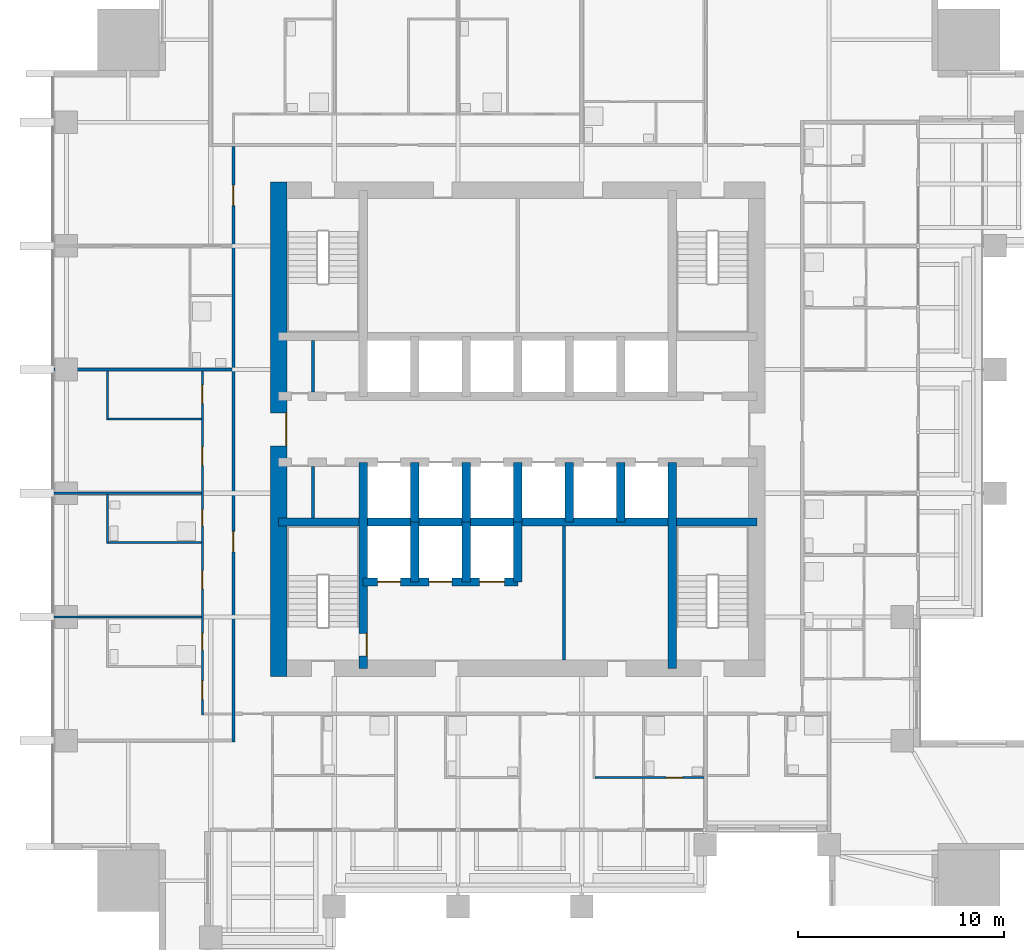
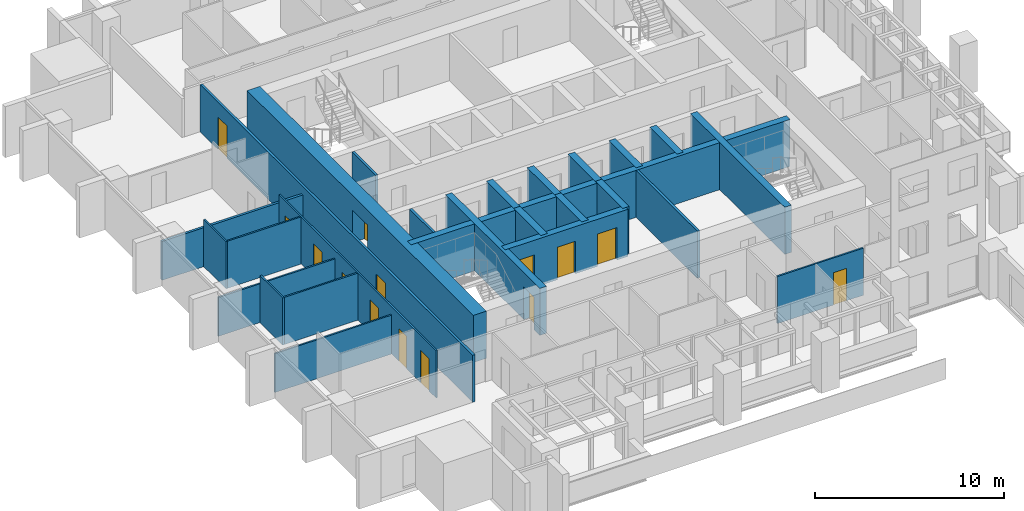
# One storey, part 8 of 16: 26 walls, 14 doors, 14 openings.
"""IFC4 building model written with IfcOpenShell, lengths in metres."""

from ifc_helpers import new_model, si_unit, direction, frame, frame_2d, origin, place, context, subcontext, project, spatial, rectangle, extrude, material, layer, layer_set, type_object, element, fill, save


model = new_model("IFC4")

# Units and contexts
model_context = context("Model", 3, precision=1e-05, world=origin(), true_north=direction((0.0, 1.0)))
body_context = subcontext(model_context, "Body", "Model", "MODEL_VIEW")
ifc_project = project(units=[si_unit("LENGTHUNIT", "METRE"), si_unit("AREAUNIT", "SQUARE_METRE"), si_unit("VOLUMEUNIT", "CUBIC_METRE"), si_unit("PLANEANGLEUNIT", "RADIAN"), si_unit("MASSUNIT", "GRAM", prefix="KILO")], contexts=[model_context])

# Site, building, storey
site_placement = place(None, origin())
site = spatial("IfcSite", under=ifc_project, at=site_placement, CompositionType="ELEMENT")
building_placement = place(site_placement, origin())
building = spatial("IfcBuilding", under=site, at=building_placement, Name="Amberfall Residences", CompositionType="ELEMENT")
storey_placement = place(building_placement, frame((0.0, 0.0, 108.39990234375)))
storey = spatial("IfcBuildingStorey", under=building, at=storey_placement, Name="L29", CompositionType="ELEMENT", Elevation=108.39990234375)

# Wall
ifc_material_1 = material(Name="Concrete C70", Category="concrete")
ifc_layer_1 = layer(ifc_material_1, 0.39990234375)
ifc_layer_set_1 = layer_set([ifc_layer_1], Name="Core wall 400 C70")
wall_type_1 = type_object("IfcWallType", Name="Core wall 400 C70", PredefinedType="SHEAR", material=ifc_layer_set_1)
wall_1_placement = place(storey_placement, frame((62.89990234375, 41.0, 0.0), z_axis=(0.0, 0.0, 1.0), x_axis=(1.0, 0.0, 0.0)))
element("IfcWall", 1, at=wall_1_placement, inside=storey, type_object=wall_type_1, Name="Core wall RW4 L29 H75", PredefinedType="SHEAR", context=body_context, shape_type="SweptSolid", body=[
    extrude(rectangle(XDim=23.2001953125, YDim=0.39990234375, at=frame_2d((11.60009765625, 0.0))), origin(), (0.0, 0.0, 1.0), 3.050048828125),
])

# Wall, opening, door
wall_2_placement = place(storey_placement, frame((67.0, 33.89990234375, 0.0), z_axis=(0.0, 0.0, 1.0), x_axis=(0.0, 1.0, 0.0)))
wall_2 = element("IfcWall", 2, at=wall_2_placement, inside=storey, type_object=wall_type_1, Name="Core wall RW4 L29 V45S", PredefinedType="SHEAR", context=body_context, shape_type="SweptSolid", body=[
    extrude(rectangle(XDim=10.0, YDim=0.39990234375, at=frame_2d((5.0, 0.0))), origin(), (0.0, 0.0, 1.0), 3.050048828125),
])
opening_1_placement = place(wall_2_placement, frame((0.60009765625, 0.0, 0.0)))
opening_1 = element("IfcOpeningElement", 3, at=opening_1_placement, cuts=wall_2, Name="Opening FL1", PredefinedType="OPENING", context=body_context, shape_type="SweptSolid", body=[
    extrude(rectangle(XDim=1.10009765625, YDim=2.10009765625, at=frame_2d((0.550048828125, 1.050048828125))), frame((0.0, 0.2099609375, 0.0), z_axis=(0.0, -1.0, 0.0), x_axis=(1.0, 0.0, 0.0)), (0.0, 0.0, 1.0), 0.419921875),
])
ifc_material_2 = material(Name="Steel fire door set", Category="steel")
door_type_1 = type_object("IfcDoorType", Name="Firefighting lobby door 1100 x 2100", OperationType="SINGLE_SWING_LEFT", PredefinedType="DOOR", material=ifc_material_2)
door_1_placement = place(opening_1_placement, origin())
door_1 = element("IfcDoor", 4, at=door_1_placement, inside=storey, type_object=door_type_1, Name="FL1 L29", OperationType="SINGLE_SWING_RIGHT", OverallHeight=2.10009765625, OverallWidth=1.10009765625, PredefinedType="DOOR", context=body_context, shape_type="SweptSolid", body=[
    extrude(rectangle(XDim=1.10009765625, YDim=2.10009765625, at=frame_2d((0.550048828125, 1.050048828125))), frame((0.0, -0.1376953125, 0.0), z_axis=(0.0, -1.0, 0.0), x_axis=(1.0, 0.0, 0.0)), (0.0, 0.0, 1.0), 0.050048828125),
])
fill(opening_1, door_1)

# Walls
wall_3_placement = place(storey_placement, frame((82.0, 33.89990234375, 0.0), z_axis=(0.0, 0.0, 1.0), x_axis=(0.0, 1.0, 0.0)))
element("IfcWall", 5, at=wall_3_placement, inside=storey, type_object=wall_type_1, Name="Core wall RW4 L29 V195S", PredefinedType="SHEAR", context=body_context, shape_type="SweptSolid", body=[
    extrude(rectangle(XDim=10.0, YDim=0.39990234375, at=frame_2d((5.0, 0.0))), origin(), (0.0, 0.0, 1.0), 3.050048828125),
])
for number, where, z_axis, x_axis, name in (
    (6, (69.5, 41.0, 0.0), (0.0, 0.0, 1.0), (0.0, 1.0, 0.0), "Core wall RW4 L29 LPD1"),
    (7, (72.0, 41.0, 0.0), (0.0, 0.0, 1.0), (0.0, 1.0, 0.0), "Core wall RW4 L29 LPD2"),
    (8, (74.5, 41.0, 0.0), (0.0, 0.0, 1.0), (0.0, 1.0, 0.0), "Core wall RW4 L29 LPD3"),
    (9, (77.0, 41.0, 0.0), (0.0, 0.0, 1.0), (0.0, 1.0, 0.0), "Core wall RW4 L29 LPD4"),
    (10, (79.5, 41.0, 0.0), (0.0, 0.0, 1.0), (0.0, 1.0, 0.0), "Core wall RW4 L29 LPD5"),
):
    element("IfcWall", number, at=place(storey_placement, frame(where, z_axis=z_axis, x_axis=x_axis)), inside=storey, type_object=wall_type_1, Name=name, PredefinedType="SHEAR", context=body_context, shape_type="SweptSolid", body=[
        extrude(rectangle(XDim=2.89990234375, YDim=0.39990234375, at=frame_2d((1.449951171875, 0.0))), origin(), (0.0, 0.0, 1.0), 3.050048828125),
    ])

# Wall, openings, doors
wall_4_placement = place(storey_placement, frame((67.0, 38.10009765625, 0.0), z_axis=(0.0, 0.0, 1.0), x_axis=(1.0, 0.0, 0.0)))
wall_4 = element("IfcWall", 11, at=wall_4_placement, inside=storey, type_object=wall_type_1, Name="Core wall RW4 L29 FFF", PredefinedType="SHEAR", context=body_context, shape_type="SweptSolid", body=[
    extrude(rectangle(XDim=7.5, YDim=0.39990234375, at=frame_2d((3.75, 0.0))), origin(), (0.0, 0.0, 1.0), 3.050048828125),
])
opening_2_placement = place(wall_4_placement, frame((0.699951171875, 0.0, 0.0)))
opening_2 = element("IfcOpeningElement", 12, at=opening_2_placement, cuts=wall_4, Name="Opening LD2", PredefinedType="OPENING", context=body_context, shape_type="SweptSolid", body=[
    extrude(rectangle(XDim=1.10009765625, YDim=2.10009765625, at=frame_2d((0.550048828125, 1.050048828125))), frame((0.0, 0.2099609375, 0.0), z_axis=(0.0, -1.0, 0.0), x_axis=(1.0, 0.0, 0.0)), (0.0, 0.0, 1.0), 0.419921875),
])
opening_3_placement = place(wall_4_placement, frame((3.199951171875, 0.0, 0.0)))
opening_3 = element("IfcOpeningElement", 13, at=opening_3_placement, cuts=wall_4, Name="Opening LD2", PredefinedType="OPENING", context=body_context, shape_type="SweptSolid", body=[
    extrude(rectangle(XDim=1.10009765625, YDim=2.10009765625, at=frame_2d((0.550048828125, 1.050048828125))), frame((0.0, 0.2099609375, 0.0), z_axis=(0.0, -1.0, 0.0), x_axis=(1.0, 0.0, 0.0)), (0.0, 0.0, 1.0), 0.419921875),
])
opening_4_placement = place(wall_4_placement, frame((5.64990234375, 0.0, 0.0)))
opening_4 = element("IfcOpeningElement", 14, at=opening_4_placement, cuts=wall_4, Name="Opening LD3", PredefinedType="OPENING", context=body_context, shape_type="SweptSolid", body=[
    extrude(rectangle(XDim=1.199951171875, YDim=2.10009765625, at=frame_2d((0.60009765625, 1.050048828125))), frame((0.0, 0.2099609375, 0.0), z_axis=(0.0, -1.0, 0.0), x_axis=(1.0, 0.0, 0.0)), (0.0, 0.0, 1.0), 0.419921875),
])
door_type_2 = type_object("IfcDoorType", Name="Firefighting lift landing door 1100 x 2100", OperationType="DOUBLE_DOOR_SLIDING", PredefinedType="DOOR", material=ifc_material_2)
door_2_placement = place(opening_2_placement, origin())
door_2 = element("IfcDoor", 15, at=door_2_placement, inside=storey, type_object=door_type_2, Name="Landing door FF1 L29", OperationType="DOUBLE_DOOR_SLIDING", OverallHeight=2.10009765625, OverallWidth=1.10009765625, PredefinedType="DOOR", context=body_context, shape_type="SweptSolid", body=[
    extrude(rectangle(XDim=1.10009765625, YDim=2.10009765625, at=frame_2d((0.550048828125, 1.050048828125))), frame((0.0, 0.02490234375, 0.0), z_axis=(0.0, -1.0, 0.0), x_axis=(1.0, 0.0, 0.0)), (0.0, 0.0, 1.0), 0.050048828125),
])
fill(opening_2, door_2)
door_3_placement = place(opening_3_placement, origin())
door_3 = element("IfcDoor", 16, at=door_3_placement, inside=storey, type_object=door_type_2, Name="Landing door FF2 L29", OperationType="DOUBLE_DOOR_SLIDING", OverallHeight=2.10009765625, OverallWidth=1.10009765625, PredefinedType="DOOR", context=body_context, shape_type="SweptSolid", body=[
    extrude(rectangle(XDim=1.10009765625, YDim=2.10009765625, at=frame_2d((0.550048828125, 1.050048828125))), frame((0.0, 0.02490234375, 0.0), z_axis=(0.0, -1.0, 0.0), x_axis=(1.0, 0.0, 0.0)), (0.0, 0.0, 1.0), 0.050048828125),
])
fill(opening_3, door_3)
door_type_3 = type_object("IfcDoorType", Name="Service lift landing door 1200 x 2100", OperationType="DOUBLE_DOOR_SLIDING", PredefinedType="DOOR", material=ifc_material_2)
door_4_placement = place(opening_4_placement, origin())
door_4 = element("IfcDoor", 17, at=door_4_placement, inside=storey, type_object=door_type_3, Name="Landing door SL1 L29", OperationType="DOUBLE_DOOR_SLIDING", OverallHeight=2.10009765625, OverallWidth=1.199951171875, PredefinedType="DOOR", context=body_context, shape_type="SweptSolid", body=[
    extrude(rectangle(XDim=1.199951171875, YDim=2.10009765625, at=frame_2d((0.60009765625, 1.050048828125))), frame((0.0, 0.02490234375, 0.0), z_axis=(0.0, -1.0, 0.0), x_axis=(1.0, 0.0, 0.0)), (0.0, 0.0, 1.0), 0.050048828125),
])
fill(opening_4, door_4)

# Walls
for number, where, z_axis, x_axis, name in (
    (18, (69.5, 38.10009765625, 0.0), (0.0, 0.0, 1.0), (0.0, 1.0, 0.0), "Core wall RW4 L29 FFD1"),
    (19, (72.0, 38.10009765625, 0.0), (0.0, 0.0, 1.0), (0.0, 1.0, 0.0), "Core wall RW4 L29 FFD2"),
    (20, (74.5, 38.10009765625, 0.0), (0.0, 0.0, 1.0), (0.0, 1.0, 0.0), "Core wall RW4 L29 FFD3"),
):
    element("IfcWall", number, at=place(storey_placement, frame(where, z_axis=z_axis, x_axis=x_axis)), inside=storey, type_object=wall_type_1, Name=name, PredefinedType="SHEAR", context=body_context, shape_type="SweptSolid", body=[
        extrude(rectangle(XDim=2.89990234375, YDim=0.39990234375, at=frame_2d((1.449951171875, 0.0))), origin(), (0.0, 0.0, 1.0), 3.050048828125),
    ])

# Wall, opening, door
ifc_layer_2 = layer(ifc_material_1, 0.800048828125)
ifc_layer_set_2 = layer_set([ifc_layer_2], Name="Core wall 800 C70")
wall_type_2 = type_object("IfcWallType", Name="Core wall 800 C70", PredefinedType="SHEAR", material=ifc_layer_set_2)
wall_5_placement = place(storey_placement, frame((62.89990234375, 33.5, 0.0), z_axis=(0.0, 0.0, 1.0), x_axis=(0.0, 1.0, 0.0)))
wall_5 = element("IfcWall", 21, at=wall_5_placement, inside=storey, type_object=wall_type_2, Name="Core wall RW3 L29 OW", PredefinedType="SHEAR", context=body_context, shape_type="SweptSolid", body=[
    extrude(rectangle(XDim=24.0, YDim=0.800048828125, at=frame_2d((12.0, 0.0))), origin(), (0.0, 0.0, 1.0), 3.050048828125),
])
opening_5_placement = place(wall_5_placement, frame((11.199951171875, 0.0, 0.0)))
opening_5 = element("IfcOpeningElement", 22, at=opening_5_placement, cuts=wall_5, Name="Opening LB1", PredefinedType="OPENING", context=body_context, shape_type="SweptSolid", body=[
    extrude(rectangle(XDim=1.60009765625, YDim=2.10009765625, at=frame_2d((0.800048828125, 1.050048828125))), frame((0.0, 0.409912109375, 0.0), z_axis=(0.0, -1.0, 0.0), x_axis=(1.0, 0.0, 0.0)), (0.0, 0.0, 1.0), 0.820068359375),
])
door_type_4 = type_object("IfcDoorType", Name="Lift lobby double door 1600 x 2100", OperationType="DOUBLE_DOOR_SINGLE_SWING", PredefinedType="DOOR", material=ifc_material_2)
door_5_placement = place(opening_5_placement, origin())
door_5 = element("IfcDoor", 23, at=door_5_placement, inside=storey, type_object=door_type_4, Name="LB1 L29", OperationType="DOUBLE_DOOR_SINGLE_SWING", OverallHeight=2.10009765625, OverallWidth=1.60009765625, PredefinedType="DOOR", context=body_context, shape_type="SweptSolid", body=[
    extrude(rectangle(XDim=1.60009765625, YDim=2.10009765625, at=frame_2d((0.800048828125, 1.050048828125))), frame((0.0, -0.33740234375, 0.0), z_axis=(0.0, -1.0, 0.0), x_axis=(1.0, 0.0, 0.0)), (0.0, 0.0, 1.0), 0.050048828125),
])
fill(opening_5, door_5)

# Walls
ifc_material_3 = material(Name="Gypsum board on metal stud")
ifc_layer_3 = layer(ifc_material_3, 0.10009765625)
ifc_layer_set_3 = layer_set([ifc_layer_3], Name="Flat partition 100")
wall_type_3 = type_object("IfcWallType", Name="Flat partition 100", PredefinedType="PARTITIONING", material=ifc_layer_set_3)
wall_6_placement = place(storey_placement, frame((54.60009765625, 39.949951171875, 0.0), z_axis=(0.0, 0.0, 1.0), x_axis=(0.0, 1.0, 0.0)))
element("IfcWall", 24, at=wall_6_placement, inside=storey, type_object=wall_type_3, Name="Partition 002", PredefinedType="PARTITIONING", context=body_context, shape_type="SweptSolid", body=[
    extrude(rectangle(XDim=2.400146484375, YDim=0.10009765625, at=frame_2d((1.2001953125, 0.0))), origin(), (0.0, 0.0, 1.0), 3.050048828125),
])
wall_7_placement = place(storey_placement, frame((54.60009765625, 45.949951171875, 0.0), z_axis=(0.0, 0.0, 1.0), x_axis=(0.0, 1.0, 0.0)))
element("IfcWall", 25, at=wall_7_placement, inside=storey, type_object=wall_type_3, Name="Partition 003", PredefinedType="PARTITIONING", context=body_context, shape_type="SweptSolid", body=[
    extrude(rectangle(XDim=2.375, YDim=0.10009765625, at=frame_2d((1.1875, 0.0))), origin(), (0.0, 0.0, 1.0), 3.050048828125),
])

# Wall, openings, doors
wall_8_placement = place(storey_placement, frame((59.199951171875, 31.64990234375, 0.0), z_axis=(0.0, 0.0, 1.0), x_axis=(0.0, 1.0, 0.0)))
wall_8 = element("IfcWall", 26, at=wall_8_placement, inside=storey, type_object=wall_type_3, Name="Partition 005", PredefinedType="PARTITIONING", context=body_context, shape_type="SweptSolid", body=[
    extrude(rectangle(XDim=16.675048828125, YDim=0.10009765625, at=frame_2d((8.33740234375, 0.0))), origin(), (0.0, 0.0, 1.0), 3.050048828125),
])
opening_6_placement = place(wall_8_placement, frame((12.10009765625, 0.0, 0.0)))
opening_6 = element("IfcOpeningElement", 27, at=opening_6_placement, cuts=wall_8, Name="Opening D41", PredefinedType="OPENING", context=body_context, shape_type="SweptSolid", body=[
    extrude(rectangle(XDim=0.89990234375, YDim=2.10009765625, at=frame_2d((0.449951171875, 1.050048828125))), frame((0.0, 0.06005859375, 0.0), z_axis=(0.0, -1.0, 0.0), x_axis=(1.0, 0.0, 0.0)), (0.0, 0.0, 1.0), 0.1201171875),
])
opening_7_placement = place(wall_8_placement, frame((15.10009765625, 0.0, 0.0)))
opening_7 = element("IfcOpeningElement", 28, at=opening_7_placement, cuts=wall_8, Name="Opening D41", PredefinedType="OPENING", context=body_context, shape_type="SweptSolid", body=[
    extrude(rectangle(XDim=0.89990234375, YDim=2.10009765625, at=frame_2d((0.449951171875, 1.050048828125))), frame((0.0, 0.06005859375, 0.0), z_axis=(0.0, -1.0, 0.0), x_axis=(1.0, 0.0, 0.0)), (0.0, 0.0, 1.0), 0.1201171875),
])
opening_8_placement = place(wall_8_placement, frame((0.75, 0.0, 0.0)))
opening_8 = element("IfcOpeningElement", 29, at=opening_8_placement, cuts=wall_8, Name="Opening D41", PredefinedType="OPENING", context=body_context, shape_type="SweptSolid", body=[
    extrude(rectangle(XDim=0.89990234375, YDim=2.10009765625, at=frame_2d((0.449951171875, 1.050048828125))), frame((0.0, 0.06005859375, 0.0), z_axis=(0.0, -1.0, 0.0), x_axis=(1.0, 0.0, 0.0)), (0.0, 0.0, 1.0), 0.1201171875),
])
opening_9_placement = place(wall_8_placement, frame((6.10009765625, 0.0, 0.0)))
opening_9 = element("IfcOpeningElement", 30, at=opening_9_placement, cuts=wall_8, Name="Opening D41", PredefinedType="OPENING", context=body_context, shape_type="SweptSolid", body=[
    extrude(rectangle(XDim=0.89990234375, YDim=2.10009765625, at=frame_2d((0.449951171875, 1.050048828125))), frame((0.0, 0.06005859375, 0.0), z_axis=(0.0, -1.0, 0.0), x_axis=(1.0, 0.0, 0.0)), (0.0, 0.0, 1.0), 0.1201171875),
])
opening_10_placement = place(wall_8_placement, frame((3.14990234375, 0.0, 0.0)))
opening_10 = element("IfcOpeningElement", 31, at=opening_10_placement, cuts=wall_8, Name="Opening D42", PredefinedType="OPENING", context=body_context, shape_type="SweptSolid", body=[
    extrude(rectangle(XDim=0.800048828125, YDim=2.10009765625, at=frame_2d((0.39990234375, 1.050048828125))), frame((0.0, 0.06005859375, 0.0), z_axis=(0.0, -1.0, 0.0), x_axis=(1.0, 0.0, 0.0)), (0.0, 0.0, 1.0), 0.1201171875),
])
opening_11_placement = place(wall_8_placement, frame((9.14990234375, 0.0, 0.0)))
opening_11 = element("IfcOpeningElement", 32, at=opening_11_placement, cuts=wall_8, Name="Opening D42", PredefinedType="OPENING", context=body_context, shape_type="SweptSolid", body=[
    extrude(rectangle(XDim=0.800048828125, YDim=2.10009765625, at=frame_2d((0.39990234375, 1.050048828125))), frame((0.0, 0.06005859375, 0.0), z_axis=(0.0, -1.0, 0.0), x_axis=(1.0, 0.0, 0.0)), (0.0, 0.0, 1.0), 0.1201171875),
])
ifc_material_4 = material(Name="Timber", Category="wood")
door_type_5 = type_object("IfcDoorType", Name="Bathroom door 800 x 2100", OperationType="SINGLE_SWING_LEFT", PredefinedType="DOOR", material=ifc_material_4)
door_6_placement = place(opening_10_placement, origin())
door_6 = element("IfcDoor", 33, at=door_6_placement, inside=storey, type_object=door_type_5, Name="Door 2909 bath1", OperationType="SINGLE_SWING_LEFT", OverallHeight=2.10009765625, OverallWidth=0.800048828125, PredefinedType="DOOR", context=body_context, shape_type="SweptSolid", body=[
    extrude(rectangle(XDim=0.800048828125, YDim=2.10009765625, at=frame_2d((0.39990234375, 1.050048828125))), frame((0.0, 0.02490234375, 0.0), z_axis=(0.0, -1.0, 0.0), x_axis=(1.0, 0.0, 0.0)), (0.0, 0.0, 1.0), 0.050048828125),
])
fill(opening_10, door_6)
door_7_placement = place(opening_11_placement, origin())
door_7 = element("IfcDoor", 34, at=door_7_placement, inside=storey, type_object=door_type_5, Name="Door 2909 bath2", OperationType="SINGLE_SWING_LEFT", OverallHeight=2.10009765625, OverallWidth=0.800048828125, PredefinedType="DOOR", context=body_context, shape_type="SweptSolid", body=[
    extrude(rectangle(XDim=0.800048828125, YDim=2.10009765625, at=frame_2d((0.39990234375, 1.050048828125))), frame((0.0, 0.02490234375, 0.0), z_axis=(0.0, -1.0, 0.0), x_axis=(1.0, 0.0, 0.0)), (0.0, 0.0, 1.0), 0.050048828125),
])
fill(opening_11, door_7)
door_type_6 = type_object("IfcDoorType", Name="Internal door 900 x 2100", OperationType="SINGLE_SWING_LEFT", PredefinedType="DOOR", material=ifc_material_4)
door_8_placement = place(opening_6_placement, origin())
door_8 = element("IfcDoor", 35, at=door_8_placement, inside=storey, type_object=door_type_6, Name="Door 2909 living", OperationType="SINGLE_SWING_LEFT", OverallHeight=2.10009765625, OverallWidth=0.89990234375, PredefinedType="DOOR", context=body_context, shape_type="SweptSolid", body=[
    extrude(rectangle(XDim=0.89990234375, YDim=2.10009765625, at=frame_2d((0.449951171875, 1.050048828125))), frame((0.0, 0.02490234375, 0.0), z_axis=(0.0, -1.0, 0.0), x_axis=(1.0, 0.0, 0.0)), (0.0, 0.0, 1.0), 0.050048828125),
])
fill(opening_6, door_8)
door_9_placement = place(opening_7_placement, origin())
door_9 = element("IfcDoor", 36, at=door_9_placement, inside=storey, type_object=door_type_6, Name="Door 2909 kitchen", OperationType="SINGLE_SWING_LEFT", OverallHeight=2.10009765625, OverallWidth=0.89990234375, PredefinedType="DOOR", context=body_context, shape_type="SweptSolid", body=[
    extrude(rectangle(XDim=0.89990234375, YDim=2.10009765625, at=frame_2d((0.449951171875, 1.050048828125))), frame((0.0, 0.02490234375, 0.0), z_axis=(0.0, -1.0, 0.0), x_axis=(1.0, 0.0, 0.0)), (0.0, 0.0, 1.0), 0.050048828125),
])
fill(opening_7, door_9)
door_10_placement = place(opening_8_placement, origin())
door_10 = element("IfcDoor", 37, at=door_10_placement, inside=storey, type_object=door_type_6, Name="Door 2909 bedroom1", OperationType="SINGLE_SWING_LEFT", OverallHeight=2.10009765625, OverallWidth=0.89990234375, PredefinedType="DOOR", context=body_context, shape_type="SweptSolid", body=[
    extrude(rectangle(XDim=0.89990234375, YDim=2.10009765625, at=frame_2d((0.449951171875, 1.050048828125))), frame((0.0, 0.02490234375, 0.0), z_axis=(0.0, -1.0, 0.0), x_axis=(1.0, 0.0, 0.0)), (0.0, 0.0, 1.0), 0.050048828125),
])
fill(opening_8, door_10)
door_11_placement = place(opening_9_placement, origin())
door_11 = element("IfcDoor", 38, at=door_11_placement, inside=storey, type_object=door_type_6, Name="Door 2909 bedroom2", OperationType="SINGLE_SWING_LEFT", OverallHeight=2.10009765625, OverallWidth=0.89990234375, PredefinedType="DOOR", context=body_context, shape_type="SweptSolid", body=[
    extrude(rectangle(XDim=0.89990234375, YDim=2.10009765625, at=frame_2d((0.449951171875, 1.050048828125))), frame((0.0, 0.02490234375, 0.0), z_axis=(0.0, -1.0, 0.0), x_axis=(1.0, 0.0, 0.0)), (0.0, 0.0, 1.0), 0.050048828125),
])
fill(opening_9, door_11)

# Walls
wall_9_placement = place(storey_placement, frame((54.64990234375, 46.0, 0.0), z_axis=(0.0, 0.0, 1.0), x_axis=(1.0, 0.0, 0.0)))
element("IfcWall", 39, at=wall_9_placement, inside=storey, type_object=wall_type_3, Name="Partition 037", PredefinedType="PARTITIONING", context=body_context, shape_type="SweptSolid", body=[
    extrude(rectangle(XDim=4.5, YDim=0.10009765625, at=frame_2d((2.25, 0.0))), origin(), (0.0, 0.0, 1.0), 3.050048828125),
])
wall_10_placement = place(storey_placement, frame((52.0, 42.39990234375, 0.0), z_axis=(0.0, 0.0, 1.0), x_axis=(1.0, 0.0, 0.0)))
element("IfcWall", 40, at=wall_10_placement, inside=storey, type_object=wall_type_3, Name="Partition 038", PredefinedType="PARTITIONING", context=body_context, shape_type="SweptSolid", body=[
    extrude(rectangle(XDim=7.14990234375, YDim=0.10009765625, at=frame_2d((3.574951171875, 0.0))), origin(), (0.0, 0.0, 1.0), 2.51611328125),
])
wall_11_placement = place(storey_placement, frame((54.64990234375, 40.0, 0.0), z_axis=(0.0, 0.0, 1.0), x_axis=(1.0, 0.0, 0.0)))
element("IfcWall", 41, at=wall_11_placement, inside=storey, type_object=wall_type_3, Name="Partition 040", PredefinedType="PARTITIONING", context=body_context, shape_type="SweptSolid", body=[
    extrude(rectangle(XDim=4.5, YDim=0.10009765625, at=frame_2d((2.25, 0.0))), origin(), (0.0, 0.0, 1.0), 3.050048828125),
])
wall_12_placement = place(storey_placement, frame((52.0, 36.39990234375, 0.0), z_axis=(0.0, 0.0, 1.0), x_axis=(1.0, 0.0, 0.0)))
element("IfcWall", 42, at=wall_12_placement, inside=storey, type_object=wall_type_3, Name="Partition 041", PredefinedType="PARTITIONING", context=body_context, shape_type="SweptSolid", body=[
    extrude(rectangle(XDim=7.14990234375, YDim=0.10009765625, at=frame_2d((3.574951171875, 0.0))), origin(), (0.0, 0.0, 1.0), 2.51611328125),
])

# Wall, opening, door
wall_13_placement = place(storey_placement, frame((78.25, 28.60009765625, 0.0), z_axis=(0.0, 0.0, 1.0), x_axis=(1.0, 0.0, 0.0)))
wall_13 = element("IfcWall", 43, at=wall_13_placement, inside=storey, type_object=wall_type_3, Name="Partition 050", PredefinedType="PARTITIONING", context=body_context, shape_type="SweptSolid", body=[
    extrude(rectangle(XDim=5.27490234375, YDim=0.10009765625, at=frame_2d((2.637451171875, 0.0))), origin(), (0.0, 0.0, 1.0), 3.050048828125),
])
opening_12_placement = place(wall_13_placement, frame((3.449951171875, 0.0, 0.0)))
opening_12 = element("IfcOpeningElement", 44, at=opening_12_placement, cuts=wall_13, Name="Opening D42", PredefinedType="OPENING", context=body_context, shape_type="SweptSolid", body=[
    extrude(rectangle(XDim=0.800048828125, YDim=2.10009765625, at=frame_2d((0.39990234375, 1.050048828125))), frame((0.0, 0.06005859375, 0.0), z_axis=(0.0, -1.0, 0.0), x_axis=(1.0, 0.0, 0.0)), (0.0, 0.0, 1.0), 0.1201171875),
])
door_12_placement = place(opening_12_placement, origin())
door_12 = element("IfcDoor", 45, at=door_12_placement, inside=storey, type_object=door_type_5, Name="Door 2902 bath2", OperationType="SINGLE_SWING_LEFT", OverallHeight=2.10009765625, OverallWidth=0.800048828125, PredefinedType="DOOR", context=body_context, shape_type="SweptSolid", body=[
    extrude(rectangle(XDim=0.800048828125, YDim=2.10009765625, at=frame_2d((0.39990234375, 1.050048828125))), frame((0.0, 0.02490234375, 0.0), z_axis=(0.0, -1.0, 0.0), x_axis=(1.0, 0.0, 0.0)), (0.0, 0.0, 1.0), 0.050048828125),
])
fill(opening_12, door_12)

# Wall, openings, doors
ifc_material_5 = material(Name="Blockwork, plastered", Category="masonry")
ifc_layer_4 = layer(ifc_material_5, 0.14990234375)
ifc_layer_set_4 = layer_set([ifc_layer_4], Name="Flat separating wall 150")
wall_type_4 = type_object("IfcWallType", Name="Flat separating wall 150", PredefinedType="PARTITIONING", material=ifc_layer_set_4)
wall_14_placement = place(storey_placement, frame((60.699951171875, 30.324951171875, 0.0), z_axis=(0.0, 0.0, 1.0), x_axis=(0.0, 1.0, 0.0)))
wall_14 = element("IfcWall", 46, at=wall_14_placement, inside=storey, type_object=wall_type_4, Name="Separating wall 052", PredefinedType="PARTITIONING", context=body_context, shape_type="SweptSolid", body=[
    extrude(rectangle(XDim=28.900146484375, YDim=0.14990234375, at=frame_2d((14.4501953125, 0.0))), origin(), (0.0, 0.0, 1.0), 3.050048828125),
])
opening_13_placement = place(wall_14_placement, frame((9.22509765625, 0.0, 0.0)))
opening_13 = element("IfcOpeningElement", 47, at=opening_13_placement, cuts=wall_14, Name="Opening D40", PredefinedType="OPENING", context=body_context, shape_type="SweptSolid", body=[
    extrude(rectangle(XDim=1.0, YDim=2.10009765625, at=frame_2d((0.5, 1.050048828125))), frame((0.0, 0.0849609375, 0.0), z_axis=(0.0, -1.0, 0.0), x_axis=(1.0, 0.0, 0.0)), (0.0, 0.0, 1.0), 0.169921875),
])
opening_14_placement = place(wall_14_placement, frame((26.02490234375, 0.0, 0.0)))
opening_14 = element("IfcOpeningElement", 48, at=opening_14_placement, cuts=wall_14, Name="Opening D40", PredefinedType="OPENING", context=body_context, shape_type="SweptSolid", body=[
    extrude(rectangle(XDim=1.0, YDim=2.10009765625, at=frame_2d((0.5, 1.050048828125))), frame((0.0, 0.0849609375, 0.0), z_axis=(0.0, -1.0, 0.0), x_axis=(1.0, 0.0, 0.0)), (0.0, 0.0, 1.0), 0.169921875),
])
ifc_material_6 = material(Name="Timber, fire-rated", Category="wood")
door_type_7 = type_object("IfcDoorType", Name="Flat entrance door FD60 1000 x 2100", OperationType="SINGLE_SWING_LEFT", PredefinedType="DOOR", material=ifc_material_6)
door_13_placement = place(opening_13_placement, origin())
door_13 = element("IfcDoor", 49, at=door_13_placement, inside=storey, type_object=door_type_7, Name="Door 2909 entrance", OperationType="SINGLE_SWING_LEFT", OverallHeight=2.10009765625, OverallWidth=1.0, PredefinedType="DOOR", context=body_context, shape_type="SweptSolid", body=[
    extrude(rectangle(XDim=1.0, YDim=2.10009765625, at=frame_2d((0.5, 1.050048828125))), frame((0.0, 0.02490234375, 0.0), z_axis=(0.0, -1.0, 0.0), x_axis=(1.0, 0.0, 0.0)), (0.0, 0.0, 1.0), 0.050048828125),
])
fill(opening_13, door_13)
door_14_placement = place(opening_14_placement, origin())
door_14 = element("IfcDoor", 50, at=door_14_placement, inside=storey, type_object=door_type_7, Name="Door 2910 entrance", OperationType="SINGLE_SWING_LEFT", OverallHeight=2.10009765625, OverallWidth=1.0, PredefinedType="DOOR", context=body_context, shape_type="SweptSolid", body=[
    extrude(rectangle(XDim=1.0, YDim=2.10009765625, at=frame_2d((0.5, 1.050048828125))), frame((0.0, 0.02490234375, 0.0), z_axis=(0.0, -1.0, 0.0), x_axis=(1.0, 0.0, 0.0)), (0.0, 0.0, 1.0), 0.050048828125),
])
fill(opening_14, door_14)

# Walls
wall_15_placement = place(storey_placement, frame((52.0, 48.39990234375, 0.0), z_axis=(0.0, 0.0, 1.0), x_axis=(1.0, 0.0, 0.0)))
element("IfcWall", 51, at=wall_15_placement, inside=storey, type_object=wall_type_4, Name="Separating wall 061", PredefinedType="PARTITIONING", context=body_context, shape_type="SweptSolid", body=[
    extrude(rectangle(XDim=8.625, YDim=0.14990234375, at=frame_2d((4.3125, 0.0))), origin(), (0.0, 0.0, 1.0), 2.51611328125),
])
ifc_material_7 = material(Name="Concrete blockwork", Category="masonry")
ifc_layer_5 = layer(ifc_material_7, 0.14990234375)
ifc_layer_set_5 = layer_set([ifc_layer_5], Name="Riser wall 150")
wall_type_5 = type_object("IfcWallType", Name="Riser wall 150", PredefinedType="PLUMBINGWALL", material=ifc_layer_set_5)
wall_16_placement = place(storey_placement, frame((76.75, 34.300048828125, 0.0), z_axis=(0.0, 0.0, 1.0), x_axis=(0.0, 1.0, 0.0)))
element("IfcWall", 52, at=wall_16_placement, inside=storey, type_object=wall_type_5, Name="L29 core wall PX", PredefinedType="PLUMBINGWALL", context=body_context, shape_type="SweptSolid", body=[
    extrude(rectangle(XDim=6.5, YDim=0.14990234375, at=frame_2d((3.25, 0.0))), origin(), (0.0, 0.0, 1.0), 3.050048828125),
])
for number, where, z_axis, x_axis, name in (
    (53, (64.56005859375, 41.199951171875, 0.0), (0.0, 0.0, 1.0), (0.0, 1.0, 0.0), "L29 core wall ASW0"),
    (54, (64.56005859375, 47.300048828125, 0.0), (0.0, 0.0, 1.0), (0.0, 1.0, 0.0), "L29 core wall ANW0"),
):
    element("IfcWall", number, at=place(storey_placement, frame(where, z_axis=z_axis, x_axis=x_axis)), inside=storey, type_object=wall_type_5, Name=name, PredefinedType="PLUMBINGWALL", context=body_context, shape_type="SweptSolid", body=[
        extrude(rectangle(XDim=2.5, YDim=0.14990234375, at=frame_2d((1.25, 0.0))), origin(), (0.0, 0.0, 1.0), 3.050048828125),
    ])

save(model, "model.ifc")
